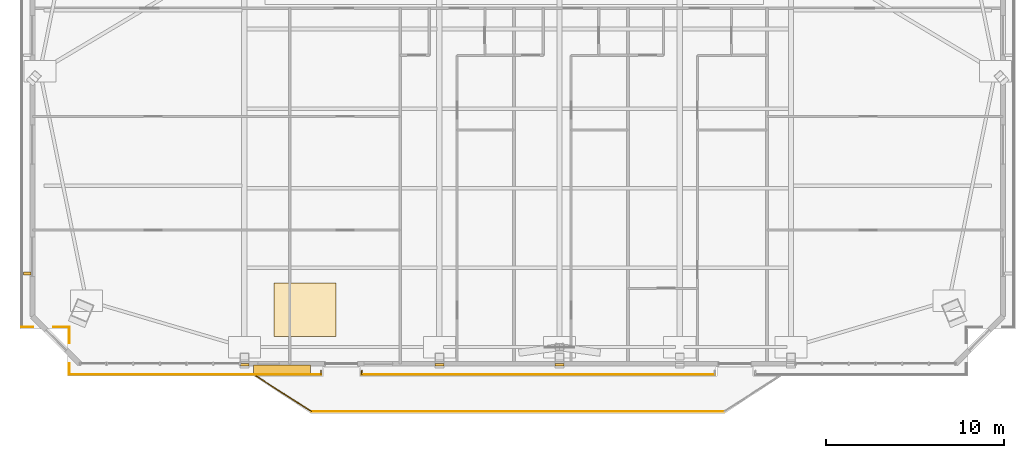
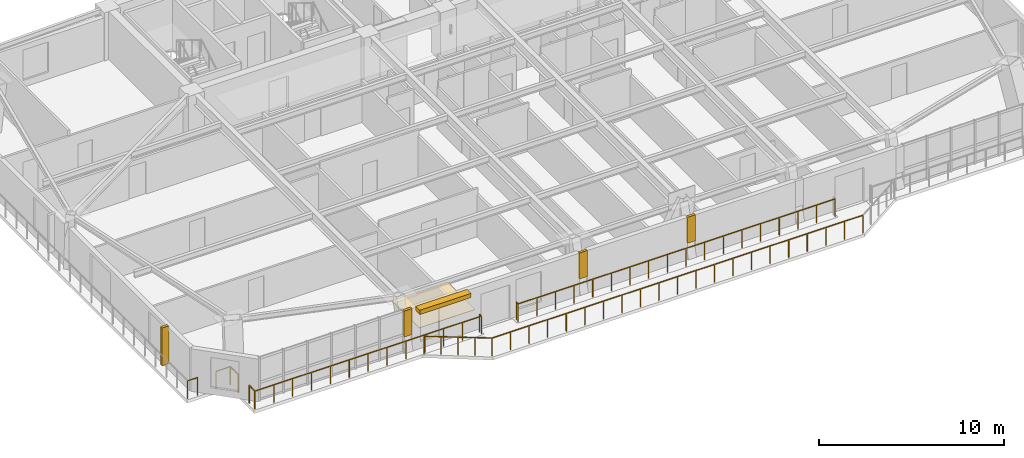
# One storey, part 14 of 18: 10 railings, 4 coverings, 2 shading devices.
"""IFC4 building model written with IfcOpenShell, lengths in metres."""

from ifc_helpers import new_model, si_unit, direction, frame, origin, origin_2d, place, context, subcontext, project, spatial, polyline, rectangle, outline, extrude, source, transform, mapped, material, layer, layer_set, type_object, element, save


model = new_model("IFC4")

# Units and contexts
model_context = context("Model", 3, precision=1e-05, world=origin(), true_north=direction((0.0, 1.0)))
body_context = subcontext(model_context, "Body", "Model", "MODEL_VIEW")
ifc_project = project(units=[si_unit("LENGTHUNIT", "METRE"), si_unit("AREAUNIT", "SQUARE_METRE"), si_unit("VOLUMEUNIT", "CUBIC_METRE"), si_unit("PLANEANGLEUNIT", "RADIAN"), si_unit("MASSUNIT", "GRAM", prefix="KILO")], contexts=[model_context])

# Site, building, storey
site_placement = place(None, origin())
site = spatial("IfcSite", under=ifc_project, at=site_placement, CompositionType="ELEMENT")
building_placement = place(site_placement, origin())
building = spatial("IfcBuilding", under=site, at=building_placement, Name="Giltprow Tower", CompositionType="ELEMENT")
storey_placement = place(building_placement, frame((0.0, 0.0, 245.10009765625)))
storey = spatial("IfcBuildingStorey", under=building, at=storey_placement, Name="L62", CompositionType="ELEMENT", Elevation=245.10009765625)

# Coverings
ifc_material_1 = material(Name="Engineered oak", Category="wood")
ifc_layer_1 = layer(ifc_material_1, 0.02490234375, Name="Engineered oak")
ifc_layer_set_1 = layer_set([ifc_layer_1], Name="Engineered oak")
covering_type_1 = type_object("IfcCoveringType", Name="COV-FLR-TIMBER", PredefinedType="FLOORING", material=ifc_layer_set_1)
covering_1_placement = place(storey_placement, origin())
element("IfcCovering", 1, at=covering_1_placement, inside=storey, type_object=covering_type_1, Name="L62 Residence Oak Parquet Flooring", PredefinedType="FLOORING", context=body_context, shape_type="SweptSolid", body=[
    extrude(outline(polyline([(21.5, 15.712890625), (25.0, 15.712890625), (25.0, 18.712890625), (21.5, 18.712890625), (21.5, 15.712890625)])), origin(), (0.0, 0.0, 1.0), 0.02490234375),
])
ifc_material_2 = material(Name="Anodized bronze", Category="metal")
ifc_layer_2 = layer(ifc_material_2, 0.0400390625, Name="Anodized bronze")
ifc_layer_set_2 = layer_set([ifc_layer_2], Name="Anodized bronze")
covering_type_2 = type_object("IfcCoveringType", Name="COV-SOFFIT-BRONZE", PredefinedType="CLADDING", material=ifc_layer_set_2)
covering_2_placement = place(storey_placement, frame((0.0, 0.0, 1.099853515625)))
element("IfcCovering", 2, at=covering_2_placement, inside=storey, type_object=covering_type_2, Name="L62 Setback Pier Closure Cladding S-1", PredefinedType="CLADDING", context=body_context, shape_type="SweptSolid", body=[
    extrude(outline(polyline([(19.60009765625, 14.0419921875), (20.10009765625, 14.0419921875), (20.10009765625, 14.201904296875), (19.60009765625, 14.201904296875), (19.60009765625, 14.0419921875)])), origin(), (0.0, 0.0, 1.0), 1.715087890625),
])
covering_3_placement = place(storey_placement, frame((0.0, 0.0, 1.099853515625)))
element("IfcCovering", 3, at=covering_3_placement, inside=storey, type_object=covering_type_2, Name="L62 Setback Pier Closure Cladding S-2", PredefinedType="CLADDING", context=body_context, shape_type="SweptSolid", body=[
    extrude(outline(polyline([(30.550048828125, 14.0419921875), (31.050048828125, 14.0419921875), (31.050048828125, 14.201904296875), (30.550048828125, 14.201904296875), (30.550048828125, 14.0419921875)])), origin(), (0.0, 0.0, 1.0), 1.715087890625),
])
covering_4_placement = place(storey_placement, frame((0.0, 0.0, 1.099853515625)))
element("IfcCovering", 4, at=covering_4_placement, inside=storey, type_object=covering_type_2, Name="L62 Setback Pier Closure Cladding S-3", PredefinedType="CLADDING", context=body_context, shape_type="SweptSolid", body=[
    extrude(outline(polyline([(37.300048828125, 14.0419921875), (37.800048828125, 14.0419921875), (37.800048828125, 14.201904296875), (37.300048828125, 14.201904296875), (37.300048828125, 14.0419921875)])), origin(), (0.0, 0.0, 1.0), 1.715087890625),
])

# Railings
railing_type = type_object("IfcRailingType", Name="RAIL-BALC-GUARD-1200", PredefinedType="BALUSTRADE", material=ifc_material_2)
railing_1_placement = place(storey_placement, frame((20.52001953125, 13.48193359375, 0.0)))
element("IfcRailing", 5, at=railing_1_placement, inside=storey, type_object=railing_type, Name="L62 Waterfront Balcony Balustrade Seg 1", PredefinedType="BALUSTRADE", context=body_context, shape_type="SweptSolid", body=[
    extrude(rectangle(XDim=0.048095703125, YDim=0.048095703125, at=origin_2d()), frame((0.0, 0.0, 1.17578125), z_axis=(0.84277487735, -0.538266203757, 0.0), x_axis=(0.538266203757, 0.84277487735, 0.0)), (0.0, 0.0, 1.0), 3.678466796875),
    extrude(rectangle(XDim=0.0419921875, YDim=0.0419921875, at=origin_2d()), origin(), (0.0, 0.0, 1.0), 1.15185546875),
    extrude(rectangle(XDim=0.0419921875, YDim=0.0419921875, at=origin_2d()), frame((0.77490234375, -0.4951171875, 0.0)), (0.0, 0.0, 1.0), 1.15185546875),
    extrude(rectangle(XDim=0.0419921875, YDim=0.0419921875, at=origin_2d()), frame((1.550048828125, -0.989990234375, 0.0)), (0.0, 0.0, 1.0), 1.15185546875),
    extrude(rectangle(XDim=0.0419921875, YDim=0.0419921875, at=origin_2d()), frame((2.3251953125, -1.48486328125, 0.0)), (0.0, 0.0, 1.0), 1.15185546875),
    extrude(rectangle(XDim=0.0419921875, YDim=0.0419921875, at=origin_2d()), frame((3.10009765625, -1.97998046875, 0.0)), (0.0, 0.0, 1.0), 1.15185546875),
])
railing_2_placement = place(storey_placement, frame((23.6201171875, 11.501953125, 0.0)))
element("IfcRailing", 6, at=railing_2_placement, inside=storey, type_object=railing_type, Name="L62 Waterfront Balcony Balustrade Seg 2", PredefinedType="BALUSTRADE", context=body_context, shape_type="SweptSolid", body=[
    extrude(rectangle(XDim=0.048095703125, YDim=0.048095703125, at=origin_2d()), frame((0.0, 0.0, 1.17578125), z_axis=(1.0, 0.0, 0.0), x_axis=(0.0, 1.0, 0.0)), (0.0, 0.0, 1.0), 23.159912109375),
    extrude(rectangle(XDim=0.0419921875, YDim=0.0419921875, at=origin_2d()), origin(), (0.0, 0.0, 1.0), 1.15185546875),
    extrude(rectangle(XDim=0.0419921875, YDim=0.0419921875, at=origin_2d()), frame((1.157958984375, 0.0, 0.0)), (0.0, 0.0, 1.0), 1.15185546875),
    extrude(rectangle(XDim=0.0419921875, YDim=0.0419921875, at=origin_2d()), frame((2.31591796875, 0.0, 0.0)), (0.0, 0.0, 1.0), 1.15185546875),
    extrude(rectangle(XDim=0.0419921875, YDim=0.0419921875, at=origin_2d()), frame((3.473876953125, 0.0, 0.0)), (0.0, 0.0, 1.0), 1.15185546875),
    extrude(rectangle(XDim=0.0419921875, YDim=0.0419921875, at=origin_2d()), frame((4.632080078125, 0.0, 0.0)), (0.0, 0.0, 1.0), 1.15185546875),
    extrude(rectangle(XDim=0.0419921875, YDim=0.0419921875, at=origin_2d()), frame((5.7900390625, 0.0, 0.0)), (0.0, 0.0, 1.0), 1.15185546875),
    extrude(rectangle(XDim=0.0419921875, YDim=0.0419921875, at=origin_2d()), frame((6.947998046875, 0.0, 0.0)), (0.0, 0.0, 1.0), 1.15185546875),
    extrude(rectangle(XDim=0.0419921875, YDim=0.0419921875, at=origin_2d()), frame((8.10595703125, 0.0, 0.0)), (0.0, 0.0, 1.0), 1.15185546875),
    extrude(rectangle(XDim=0.0419921875, YDim=0.0419921875, at=origin_2d()), frame((9.263916015625, 0.0, 0.0)), (0.0, 0.0, 1.0), 1.15185546875),
    extrude(rectangle(XDim=0.0419921875, YDim=0.0419921875, at=origin_2d()), frame((10.421875, 0.0, 0.0)), (0.0, 0.0, 1.0), 1.15185546875),
    extrude(rectangle(XDim=0.0419921875, YDim=0.0419921875, at=origin_2d()), frame((11.580078125, 0.0, 0.0)), (0.0, 0.0, 1.0), 1.15185546875),
    extrude(rectangle(XDim=0.0419921875, YDim=0.0419921875, at=origin_2d()), frame((12.738037109375, 0.0, 0.0)), (0.0, 0.0, 1.0), 1.15185546875),
    extrude(rectangle(XDim=0.0419921875, YDim=0.0419921875, at=origin_2d()), frame((13.89599609375, 0.0, 0.0)), (0.0, 0.0, 1.0), 1.15185546875),
    extrude(rectangle(XDim=0.0419921875, YDim=0.0419921875, at=origin_2d()), frame((15.053955078125, 0.0, 0.0)), (0.0, 0.0, 1.0), 1.15185546875),
    extrude(rectangle(XDim=0.0419921875, YDim=0.0419921875, at=origin_2d()), frame((16.2119140625, 0.0, 0.0)), (0.0, 0.0, 1.0), 1.15185546875),
    extrude(rectangle(XDim=0.0419921875, YDim=0.0419921875, at=origin_2d()), frame((17.369873046875, 0.0, 0.0)), (0.0, 0.0, 1.0), 1.15185546875),
    extrude(rectangle(XDim=0.0419921875, YDim=0.0419921875, at=origin_2d()), frame((18.52783203125, 0.0, 0.0)), (0.0, 0.0, 1.0), 1.15185546875),
    extrude(rectangle(XDim=0.0419921875, YDim=0.0419921875, at=origin_2d()), frame((19.68603515625, 0.0, 0.0)), (0.0, 0.0, 1.0), 1.15185546875),
    extrude(rectangle(XDim=0.0419921875, YDim=0.0419921875, at=origin_2d()), frame((20.843994140625, 0.0, 0.0)), (0.0, 0.0, 1.0), 1.15185546875),
    extrude(rectangle(XDim=0.0419921875, YDim=0.0419921875, at=origin_2d()), frame((22.001953125, 0.0, 0.0)), (0.0, 0.0, 1.0), 1.15185546875),
    extrude(rectangle(XDim=0.0419921875, YDim=0.0419921875, at=origin_2d()), frame((23.159912109375, 0.0, 0.0)), (0.0, 0.0, 1.0), 1.15185546875),
])
railing_3_placement = place(storey_placement, frame((46.25, 13.58203125, 0.0)))
element("IfcRailing", 7, at=railing_3_placement, inside=storey, type_object=railing_type, Name="L62 Corner Apron Edge Balustrade 9", PredefinedType="BALUSTRADE", context=body_context, shape_type="SweptSolid", body=[
    extrude(rectangle(XDim=0.048095703125, YDim=0.048095703125, at=origin_2d()), frame((0.0, 0.0, 1.17578125), z_axis=(-1.0, 0.0, 0.0), x_axis=(0.0, -1.0, 0.0)), (0.0, 0.0, 1.0), 19.800048828125),
    extrude(rectangle(XDim=0.0419921875, YDim=0.0419921875, at=origin_2d()), origin(), (0.0, 0.0, 1.0), 1.15185546875),
    extrude(rectangle(XDim=0.0419921875, YDim=0.0419921875, at=origin_2d()), frame((-1.164794921875, 0.0, 0.0)), (0.0, 0.0, 1.0), 1.15185546875),
    extrude(rectangle(XDim=0.0419921875, YDim=0.0419921875, at=origin_2d()), frame((-2.329345703125, 0.0, 0.0)), (0.0, 0.0, 1.0), 1.15185546875),
    extrude(rectangle(XDim=0.0419921875, YDim=0.0419921875, at=origin_2d()), frame((-3.494140625, 0.0, 0.0)), (0.0, 0.0, 1.0), 1.15185546875),
    extrude(rectangle(XDim=0.0419921875, YDim=0.0419921875, at=origin_2d()), frame((-4.658935546875, 0.0, 0.0)), (0.0, 0.0, 1.0), 1.15185546875),
    extrude(rectangle(XDim=0.0419921875, YDim=0.0419921875, at=origin_2d()), frame((-5.823486328125, 0.0, 0.0)), (0.0, 0.0, 1.0), 1.15185546875),
    extrude(rectangle(XDim=0.0419921875, YDim=0.0419921875, at=origin_2d()), frame((-6.98828125, 0.0, 0.0)), (0.0, 0.0, 1.0), 1.15185546875),
    extrude(rectangle(XDim=0.0419921875, YDim=0.0419921875, at=origin_2d()), frame((-8.153076171875, 0.0, 0.0)), (0.0, 0.0, 1.0), 1.15185546875),
    extrude(rectangle(XDim=0.0419921875, YDim=0.0419921875, at=origin_2d()), frame((-9.317626953125, 0.0, 0.0)), (0.0, 0.0, 1.0), 1.15185546875),
    extrude(rectangle(XDim=0.0419921875, YDim=0.0419921875, at=origin_2d()), frame((-10.482421875, 0.0, 0.0)), (0.0, 0.0, 1.0), 1.15185546875),
    extrude(rectangle(XDim=0.0419921875, YDim=0.0419921875, at=origin_2d()), frame((-11.64697265625, 0.0, 0.0)), (0.0, 0.0, 1.0), 1.15185546875),
    extrude(rectangle(XDim=0.0419921875, YDim=0.0419921875, at=origin_2d()), frame((-12.811767578125, 0.0, 0.0)), (0.0, 0.0, 1.0), 1.15185546875),
    extrude(rectangle(XDim=0.0419921875, YDim=0.0419921875, at=origin_2d()), frame((-13.9765625, 0.0, 0.0)), (0.0, 0.0, 1.0), 1.15185546875),
    extrude(rectangle(XDim=0.0419921875, YDim=0.0419921875, at=origin_2d()), frame((-15.14111328125, 0.0, 0.0)), (0.0, 0.0, 1.0), 1.15185546875),
    extrude(rectangle(XDim=0.0419921875, YDim=0.0419921875, at=origin_2d()), frame((-16.305908203125, 0.0, 0.0)), (0.0, 0.0, 1.0), 1.15185546875),
    extrude(rectangle(XDim=0.0419921875, YDim=0.0419921875, at=origin_2d()), frame((-17.470703125, 0.0, 0.0)), (0.0, 0.0, 1.0), 1.15185546875),
    extrude(rectangle(XDim=0.0419921875, YDim=0.0419921875, at=origin_2d()), frame((-18.63525390625, 0.0, 0.0)), (0.0, 0.0, 1.0), 1.15185546875),
    extrude(rectangle(XDim=0.0419921875, YDim=0.0419921875, at=origin_2d()), frame((-19.800048828125, 0.0, 0.0)), (0.0, 0.0, 1.0), 1.15185546875),
])
railing_4_placement = place(storey_placement, frame((26.449951171875, 13.58203125, 0.0)))
element("IfcRailing", 8, at=railing_4_placement, inside=storey, type_object=railing_type, Name="L62 Corner Apron Edge Balustrade 10", PredefinedType="BALUSTRADE", context=body_context, shape_type="SweptSolid", body=[
    extrude(rectangle(XDim=0.048095703125, YDim=0.048095703125, at=origin_2d()), frame((0.0, 0.0, 1.17578125), z_axis=(0.0, 1.0, 0.0), x_axis=(-1.0, 0.0, 0.0)), (0.0, 0.0, 1.0), 0.199951171875),
    extrude(rectangle(XDim=0.0419921875, YDim=0.0419921875, at=origin_2d()), origin(), (0.0, 0.0, 1.0), 1.15185546875),
    extrude(rectangle(XDim=0.0419921875, YDim=0.0419921875, at=origin_2d()), frame((0.0, 0.199951171875, 0.0)), (0.0, 0.0, 1.0), 1.15185546875),
])
railing_5_placement = place(storey_placement, frame((24.14990234375, 13.781982421875, 0.0)))
element("IfcRailing", 9, at=railing_5_placement, inside=storey, type_object=railing_type, Name="L62 Corner Apron Edge Balustrade 11", PredefinedType="BALUSTRADE", context=body_context, shape_type="SweptSolid", body=[
    extrude(rectangle(XDim=0.048095703125, YDim=0.048095703125, at=origin_2d()), frame((0.0, 0.0, 1.17578125), z_axis=(0.0, -1.0, 0.0), x_axis=(1.0, 0.0, 0.0)), (0.0, 0.0, 1.0), 0.199951171875),
    extrude(rectangle(XDim=0.0419921875, YDim=0.0419921875, at=origin_2d()), origin(), (0.0, 0.0, 1.0), 1.15185546875),
    extrude(rectangle(XDim=0.0419921875, YDim=0.0419921875, at=origin_2d()), frame((0.0, -0.199951171875, 0.0)), (0.0, 0.0, 1.0), 1.15185546875),
])
railing_6_placement = place(storey_placement, frame((24.14990234375, 13.58203125, 0.0)))
element("IfcRailing", 10, at=railing_6_placement, inside=storey, type_object=railing_type, Name="L62 Corner Apron Edge Balustrade 12", PredefinedType="BALUSTRADE", context=body_context, shape_type="SweptSolid", body=[
    extrude(rectangle(XDim=0.048095703125, YDim=0.048095703125, at=origin_2d()), frame((0.0, 0.0, 1.17578125), z_axis=(-1.0, 0.0, 0.0), x_axis=(0.0, -1.0, 0.0)), (0.0, 0.0, 1.0), 14.140869140625),
    extrude(rectangle(XDim=0.0419921875, YDim=0.0419921875, at=origin_2d()), origin(), (0.0, 0.0, 1.0), 1.15185546875),
    extrude(rectangle(XDim=0.0419921875, YDim=0.0419921875, at=origin_2d()), frame((-1.178466796875, 0.0, 0.0)), (0.0, 0.0, 1.0), 1.15185546875),
    extrude(rectangle(XDim=0.0419921875, YDim=0.0419921875, at=origin_2d()), frame((-2.35693359375, 0.0, 0.0)), (0.0, 0.0, 1.0), 1.15185546875),
    extrude(rectangle(XDim=0.0419921875, YDim=0.0419921875, at=origin_2d()), frame((-3.53515625, 0.0, 0.0)), (0.0, 0.0, 1.0), 1.15185546875),
    extrude(rectangle(XDim=0.0419921875, YDim=0.0419921875, at=origin_2d()), frame((-4.713623046875, 0.0, 0.0)), (0.0, 0.0, 1.0), 1.15185546875),
    extrude(rectangle(XDim=0.0419921875, YDim=0.0419921875, at=origin_2d()), frame((-5.89208984375, 0.0, 0.0)), (0.0, 0.0, 1.0), 1.15185546875),
    extrude(rectangle(XDim=0.0419921875, YDim=0.0419921875, at=origin_2d()), frame((-7.0703125, 0.0, 0.0)), (0.0, 0.0, 1.0), 1.15185546875),
    extrude(rectangle(XDim=0.0419921875, YDim=0.0419921875, at=origin_2d()), frame((-8.248779296875, 0.0, 0.0)), (0.0, 0.0, 1.0), 1.15185546875),
    extrude(rectangle(XDim=0.0419921875, YDim=0.0419921875, at=origin_2d()), frame((-9.42724609375, 0.0, 0.0)), (0.0, 0.0, 1.0), 1.15185546875),
    extrude(rectangle(XDim=0.0419921875, YDim=0.0419921875, at=origin_2d()), frame((-10.605712890625, 0.0, 0.0)), (0.0, 0.0, 1.0), 1.15185546875),
    extrude(rectangle(XDim=0.0419921875, YDim=0.0419921875, at=origin_2d()), frame((-11.7841796875, 0.0, 0.0)), (0.0, 0.0, 1.0), 1.15185546875),
    extrude(rectangle(XDim=0.0419921875, YDim=0.0419921875, at=origin_2d()), frame((-12.96240234375, 0.0, 0.0)), (0.0, 0.0, 1.0), 1.15185546875),
    extrude(rectangle(XDim=0.0419921875, YDim=0.0419921875, at=origin_2d()), frame((-14.140869140625, 0.0, 0.0)), (0.0, 0.0, 1.0), 1.15185546875),
])
railing_7_placement = place(storey_placement, frame((10.009033203125, 13.58203125, 0.0)))
element("IfcRailing", 11, at=railing_7_placement, inside=storey, type_object=railing_type, Name="L62 Corner Apron Edge Balustrade 13", PredefinedType="BALUSTRADE", context=body_context, shape_type="SweptSolid", body=[
    extrude(rectangle(XDim=0.048095703125, YDim=0.048095703125, at=origin_2d()), frame((0.0, 0.0, 1.17578125), z_axis=(0.0, 1.0, 0.0), x_axis=(-1.0, 0.0, 0.0)), (0.0, 0.0, 1.0), 0.619873046875),
    extrude(rectangle(XDim=0.0419921875, YDim=0.0419921875, at=origin_2d()), origin(), (0.0, 0.0, 1.0), 1.15185546875),
    extrude(rectangle(XDim=0.0419921875, YDim=0.0419921875, at=origin_2d()), frame((0.0, 0.619873046875, 0.0)), (0.0, 0.0, 1.0), 1.15185546875),
])
railing_8_placement = place(storey_placement, frame((10.009033203125, 15.362060546875, 0.0)))
element("IfcRailing", 12, at=railing_8_placement, inside=storey, type_object=railing_type, Name="L62 Corner Apron Edge Balustrade 14", PredefinedType="BALUSTRADE", context=body_context, shape_type="SweptSolid", body=[
    extrude(rectangle(XDim=0.048095703125, YDim=0.048095703125, at=origin_2d()), frame((0.0, 0.0, 1.17578125), z_axis=(0.0, 1.0, 0.0), x_axis=(-1.0, 0.0, 0.0)), (0.0, 0.0, 1.0), 0.880859375),
    extrude(rectangle(XDim=0.0419921875, YDim=0.0419921875, at=origin_2d()), origin(), (0.0, 0.0, 1.0), 1.15185546875),
    extrude(rectangle(XDim=0.0419921875, YDim=0.0419921875, at=origin_2d()), frame((0.0, 0.880859375, 0.0)), (0.0, 0.0, 1.0), 1.15185546875),
])
railing_9_placement = place(storey_placement, frame((10.009033203125, 16.242919921875, 0.0)))
element("IfcRailing", 13, at=railing_9_placement, inside=storey, type_object=railing_type, Name="L62 Corner Apron Edge Balustrade 15", PredefinedType="BALUSTRADE", context=body_context, shape_type="SweptSolid", body=[
    extrude(rectangle(XDim=0.048095703125, YDim=0.048095703125, at=origin_2d()), frame((0.0, 0.0, 1.17578125), z_axis=(-1.0, 0.0, 0.0), x_axis=(0.0, -1.0, 0.0)), (0.0, 0.0, 1.0), 0.881103515625),
    extrude(rectangle(XDim=0.0419921875, YDim=0.0419921875, at=origin_2d()), origin(), (0.0, 0.0, 1.0), 1.15185546875),
    extrude(rectangle(XDim=0.0419921875, YDim=0.0419921875, at=origin_2d()), frame((-0.881103515625, 0.0, 0.0)), (0.0, 0.0, 1.0), 1.15185546875),
])
railing_10_placement = place(storey_placement, frame((7.968017578125, 16.242919921875, 0.0)))
element("IfcRailing", 14, at=railing_10_placement, inside=storey, type_object=railing_type, Name="L62 Corner Apron Edge Balustrade 16", PredefinedType="BALUSTRADE", context=body_context, shape_type="SweptSolid", body=[
    extrude(rectangle(XDim=0.048095703125, YDim=0.048095703125, at=origin_2d()), frame((0.0, 0.0, 1.17578125), z_axis=(-1.0, 0.0, 0.0), x_axis=(0.0, -1.0, 0.0)), (0.0, 0.0, 1.0), 0.6201171875),
    extrude(rectangle(XDim=0.0419921875, YDim=0.0419921875, at=origin_2d()), origin(), (0.0, 0.0, 1.0), 1.15185546875),
    extrude(rectangle(XDim=0.0419921875, YDim=0.0419921875, at=origin_2d()), frame((-0.6201171875, 0.0, 0.0)), (0.0, 0.0, 1.0), 1.15185546875),
])

# Shading devices
shading_device_type_1 = type_object("IfcShadingDeviceType", Name="SHD-FIN-420", PredefinedType="USERDEFINED", material=ifc_material_2)
shared_shape_1 = source(origin(), body_context, "Body", "SweptSolid", [
    extrude(rectangle(XDim=0.419921875, YDim=0.159912109375, at=origin_2d()), origin(), (0.0, 0.0, 1.0), 2.5),
])
shading_device_1_placement = place(storey_placement, frame((7.64794921875, 19.2548828125, 0.349853515625), z_axis=(0.0, 0.0, 1.0), x_axis=(1.0, 0.0, 0.0)))
element("IfcShadingDevice", 15, at=shading_device_1_placement, inside=storey, type_object=shading_device_type_1, Name="L62 W Bronze Vertical Fin 1-1", ObjectType="FIN", PredefinedType="USERDEFINED", context=body_context, shape_type="MappedRepresentation", body=[
    mapped(shared_shape_1, transform((0.0, 0.0, 0.0), x_axis=(1.0, 0.0, 0.0), y_axis=(0.0, 1.0, 0.0), z_axis=(0.0, 0.0, 1.0), scale=1.0)),
])
shading_device_type_2 = type_object("IfcShadingDeviceType", Name="SHD-LOUVRE-320", PredefinedType="JALOUSIE", material=ifc_material_2)
shared_shape_2 = source(origin(), body_context, "Body", "SweptSolid", [
    extrude(rectangle(XDim=3.199951171875, YDim=0.449951171875, at=origin_2d()), origin(), (0.0, 0.0, 1.0), 0.280029296875),
])
shading_device_2_placement = place(storey_placement, frame((21.949951171875, 13.882080078125, 2.56005859375), z_axis=(0.0, 0.0, 1.0), x_axis=(1.0, 0.0, 0.0)))
element("IfcShadingDevice", 16, at=shading_device_2_placement, inside=storey, type_object=shading_device_type_2, Name="L62 Bronze Sunshade Louvre S-2", PredefinedType="JALOUSIE", context=body_context, shape_type="MappedRepresentation", body=[
    mapped(shared_shape_2, transform((0.0, 0.0, 0.0), x_axis=(1.0, 0.0, 0.0), y_axis=(0.0, 1.0, 0.0), z_axis=(0.0, 0.0, 1.0), scale=1.0)),
])

save(model, "model.ifc")
